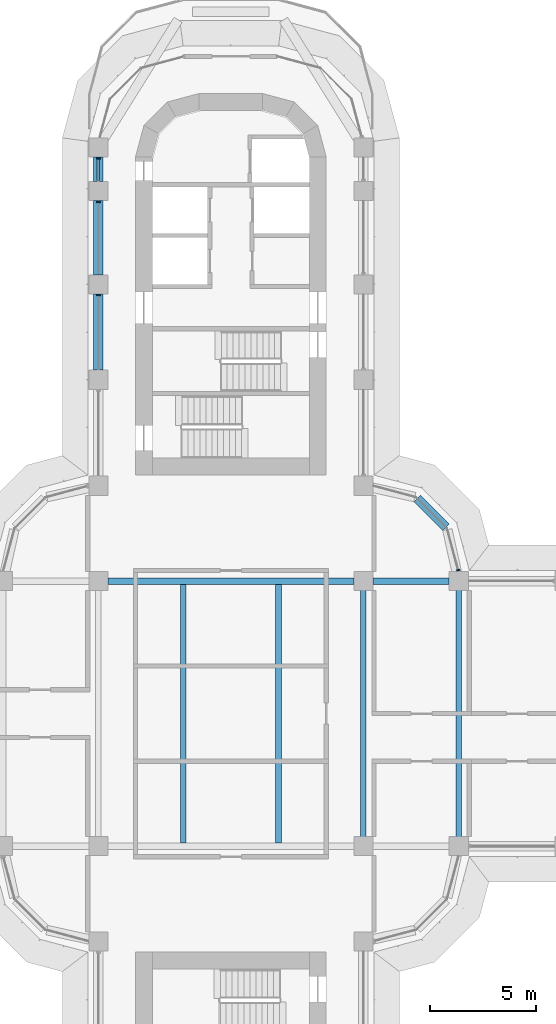
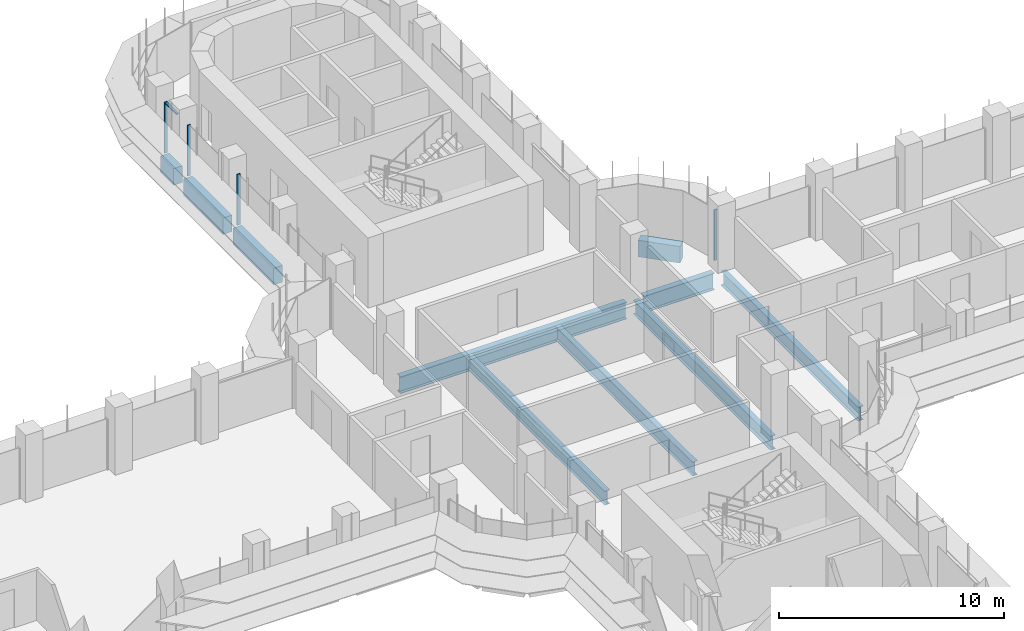
# One storey, part 7 of 22: 10 beams, 5 members, 2 elements without a shape of their own.
"""IFC4 building model written with IfcOpenShell, lengths in metres."""

from ifc_helpers import new_model, si_unit, direction, frame, origin, origin_2d, place, context, subcontext, project, spatial, polyline, rectangle, i_section, outline, extrude, source, transform, mapped, material, material_profile, profile_set, type_object, element, aggregate, save


model = new_model("IFC4")

# Units and contexts
model_context = context("Model", 3, precision=1e-05, world=origin(), true_north=direction((0.0, 1.0)))
body_context = subcontext(model_context, "Body", "Model", "MODEL_VIEW")
ifc_project = project(units=[si_unit("LENGTHUNIT", "METRE"), si_unit("AREAUNIT", "SQUARE_METRE"), si_unit("VOLUMEUNIT", "CUBIC_METRE"), si_unit("PLANEANGLEUNIT", "RADIAN"), si_unit("MASSUNIT", "GRAM", prefix="KILO")], contexts=[model_context])

# Site, building, storey
site_placement = place(None, origin())
site = spatial("IfcSite", under=ifc_project, at=site_placement, CompositionType="ELEMENT")
building_placement = place(site_placement, origin())
building = spatial("IfcBuilding", under=site, at=building_placement, Name="Zarbagh Exchange Tower", CompositionType="ELEMENT")
storey_placement = place(building_placement, frame((0.0, 0.0, 94.199951171875)))
storey = spatial("IfcBuildingStorey", under=building, at=storey_placement, Name="L21", CompositionType="ELEMENT", Elevation=94.199951171875)

# Beams
ifc_material_1 = material(Name="Steel ASTM A992 Gr 50", Category="steel")
ifc_material_profile_1 = material_profile(ifc_material_1, i_section(OverallWidth=0.2666015625, OverallDepth=0.7568359375, WebThickness=0.013916015625, FlangeThickness=0.019287109375, at=origin_2d()), Name="W30X108")
ifc_profile_set_1 = profile_set([ifc_material_profile_1], Name="Steel ASTM A992 Gr 50")
beam_type_1 = type_object("IfcBeamType", Name="Floor beam W30X108", PredefinedType="BEAM", material=ifc_profile_set_1)
for number, where, z_axis, x_axis, name in (
    (1, (-2.25, -6.09765625, -0.5283203125), (0.0, 1.0, 0.0), (-1.0, 0.0, 0.0), "Steel floor beam"),
    (2, (2.25, -6.09765625, -0.5283203125), (0.0, 1.0, 0.0), (-1.0, 0.0, 0.0), "Steel floor beam"),
    (3, (6.25, -6.09765625, -0.5283203125), (0.0, 1.0, 0.0), (-1.0, 0.0, 0.0), "Steel floor beam"),
    (4, (10.75, -6.09765625, -0.5283203125), (0.0, 1.0, 0.0), (-1.0, 0.0, 0.0), "Steel floor beam"),
):
    element("IfcBeam", number, at=place(storey_placement, frame(where, z_axis=z_axis, x_axis=x_axis)), inside=storey, type_object=beam_type_1, Name=name, PredefinedType="BEAM", context=body_context, shape_type="SweptSolid", body=[
        extrude(i_section(OverallWidth=0.2666015625, OverallDepth=0.7568359375, WebThickness=0.013916015625, FlangeThickness=0.019287109375, at=origin_2d()), origin(), (0.0, 0.0, 1.0), 12.1953125),
    ])
ifc_material_profile_2 = material_profile(ifc_material_1, i_section(OverallWidth=0.3046875, OverallDepth=0.911865234375, WebThickness=0.015869140625, FlangeThickness=0.02392578125, at=origin_2d()), Name="W36X150")
ifc_profile_set_2 = profile_set([ifc_material_profile_2], Name="Steel ASTM A992 Gr 50")
beam_type_2 = type_object("IfcBeamType", Name="Floor girder W36X150", PredefinedType="BEAM", material=ifc_profile_set_2)
beam_1_placement = place(storey_placement, frame((-5.800048828125, 6.25, -0.60595703125), z_axis=(1.0, 0.0, 0.0), x_axis=(0.0, 1.0, 0.0)))
element("IfcBeam", 5, at=beam_1_placement, inside=storey, type_object=beam_type_2, Name="Steel girder", PredefinedType="BEAM", context=body_context, shape_type="SweptSolid", body=[
    extrude(i_section(OverallWidth=0.3046875, OverallDepth=0.911865234375, WebThickness=0.015869140625, FlangeThickness=0.02392578125, at=origin_2d()), origin(), (0.0, 0.0, 1.0), 11.60009765625),
])
beam_2_placement = place(storey_placement, frame((6.699951171875, 6.25, -0.60595703125), z_axis=(1.0, 0.0, 0.0), x_axis=(0.0, 1.0, 0.0)))
element("IfcBeam", 6, at=beam_2_placement, inside=storey, type_object=beam_type_2, Name="Steel girder", PredefinedType="BEAM", context=body_context, shape_type="SweptSolid", body=[
    extrude(i_section(OverallWidth=0.3046875, OverallDepth=0.911865234375, WebThickness=0.015869140625, FlangeThickness=0.02392578125, at=origin_2d()), origin(), (0.0, 0.0, 1.0), 3.60009765625),
])
ifc_material_2 = material(Name="Concrete C60/75", Category="concrete")
ifc_material_profile_3 = material_profile(ifc_material_2, rectangle(XDim=0.449951171875, YDim=0.89990234375, at=origin_2d()), Name="RC spandrel beam 450 x 900 C60/75")
ifc_profile_set_3 = profile_set([ifc_material_profile_3], Name="Concrete C60/75")
beam_type_3 = type_object("IfcBeamType", Name="RC spandrel beam 450 x 900 C60/75", PredefinedType="SPANDREL", material=ifc_profile_set_3)
beam_3_placement = place(storey_placement, frame((-6.25, 16.199951171875, -0.599853515625), z_axis=(0.0, 1.0, 0.0), x_axis=(-1.0, 0.0, 0.0)))
element("IfcBeam", 7, at=beam_3_placement, inside=storey, type_object=beam_type_3, Name="RC spandrel beam", PredefinedType="SPANDREL", context=body_context, shape_type="SweptSolid", body=[
    extrude(rectangle(XDim=0.449951171875, YDim=0.89990234375, at=origin_2d()), origin(), (0.0, 0.0, 1.0), 3.60009765625),
])
beam_4_placement = place(storey_placement, frame((-6.25, 20.699951171875, -0.599853515625), z_axis=(0.0, 1.0, 0.0), x_axis=(-1.0, 0.0, 0.0)))
element("IfcBeam", 8, at=beam_4_placement, inside=storey, type_object=beam_type_3, Name="RC spandrel beam", PredefinedType="SPANDREL", context=body_context, shape_type="SweptSolid", body=[
    extrude(rectangle(XDim=0.449951171875, YDim=0.89990234375, at=origin_2d()), origin(), (0.0, 0.0, 1.0), 3.5),
])
beam_5_placement = place(storey_placement, frame((-6.25, 25.10009765625, -0.599853515625), z_axis=(0.0, 1.0, 0.0), x_axis=(-1.0, 0.0, 0.0)))
element("IfcBeam", 9, at=beam_5_placement, inside=storey, type_object=beam_type_3, Name="RC spandrel beam", PredefinedType="SPANDREL", context=body_context, shape_type="SweptSolid", body=[
    extrude(rectangle(XDim=0.449951171875, YDim=0.89990234375, at=origin_2d()), origin(), (0.0, 0.0, 1.0), 1.14990234375),
])
beam_6_placement = place(storey_placement, frame((8.78759765625, 10.15234375, -0.599853515625), z_axis=(0.707106781187, -0.707106781187, 0.0), x_axis=(0.707106781187, 0.707106781187, 0.0)))
element("IfcBeam", 10, at=beam_6_placement, inside=storey, type_object=beam_type_3, Name="RC spandrel beam", PredefinedType="SPANDREL", context=body_context, shape_type="SweptSolid", body=[
    extrude(rectangle(XDim=0.449951171875, YDim=0.89990234375, at=origin_2d()), origin(), (0.0, 0.0, 1.0), 1.929931640625),
])

# Curtain wall, member
ifc_material_3 = material(Name="Anodised aluminium frame and glazing", Category="aluminium")
curtain_wall_type = type_object("IfcCurtainWallType", Name="CWA Ribbon glazing, lower zones", PredefinedType="NOTDEFINED", material=ifc_material_3)
curtain_wall_1_placement = place(storey_placement, origin())
curtain_wall_1 = element("IfcCurtainWall", 11, at=curtain_wall_1_placement, inside=storey, type_object=curtain_wall_type, Name="CWA17 curtain wall", PredefinedType="NOTDEFINED")
ifc_material_4 = material(Name="Anodised aluminium frame", Category="aluminium")
member_type_1 = type_object("IfcMemberType", Name="MUA Mullion, anodised aluminium frame", PredefinedType="MULLION", material=ifc_material_4)
shared_shape_1 = source(origin(), body_context, "Body", "SweptSolid", [
    extrude(outline(polyline([(0.0, -0.080078125), (0.06005859375, -0.080078125), (0.06005859375, 0.080078125), (0.0, 0.080078125), (0.0, -0.080078125)])), origin(), (0.0, 0.0, 1.0), 2.75),
])
placement = place(storey_placement, origin())
member_1 = element("IfcMember", 12, at=placement, type_object=member_type_1, Name="CWA17 mullion 1.1", PredefinedType="MULLION", context=body_context, shape_type="MappedRepresentation", body=[
    mapped(shared_shape_1, transform((10.735107421875, 6.739990234375, 0.0), x_axis=(-0.258824779902, 0.965924289636, 0.0), y_axis=(-0.965924289636, -0.258824779902, 0.0), z_axis=(0.0, 0.0, 1.0))),
])
aggregate(curtain_wall_1, [member_1])

# Curtain wall, members
curtain_wall_2_placement = place(storey_placement, origin())
curtain_wall_2 = element("IfcCurtainWall", 13, at=curtain_wall_2_placement, inside=storey, type_object=curtain_wall_type, Name="CWA56 curtain wall", PredefinedType="NOTDEFINED")
member_2 = element("IfcMember", 14, at=placement, type_object=member_type_1, Name="CWA56 mullion 1.1", PredefinedType="MULLION", context=body_context, shape_type="MappedRepresentation", body=[
    mapped(shared_shape_1, transform((-6.25, 26.2099609375, 0.0), x_axis=(0.0, -1.0, 0.0), y_axis=(1.0, 0.0, 0.0), z_axis=(0.0, 0.0, 1.0))),
])
member_3 = element("IfcMember", 15, at=placement, type_object=member_type_1, Name="CWA56 mullion 2.1", PredefinedType="MULLION", context=body_context, shape_type="MappedRepresentation", body=[
    mapped(shared_shape_1, transform((-6.25, 24.159912109375, 0.0), x_axis=(0.0, -1.0, 0.0), y_axis=(1.0, 0.0, 0.0), z_axis=(0.0, 0.0, 1.0))),
])
member_4 = element("IfcMember", 16, at=placement, type_object=member_type_1, Name="CWA56 mullion 3.1", PredefinedType="MULLION", context=body_context, shape_type="MappedRepresentation", body=[
    mapped(shared_shape_1, transform((-6.25, 19.760009765625, 0.0), x_axis=(0.0, -1.0, 0.0), y_axis=(1.0, 0.0, 0.0), z_axis=(0.0, 0.0, 1.0))),
])
member_type_2 = type_object("IfcMemberType", Name="TRA Transom, anodised aluminium frame", PredefinedType="USERDEFINED", material=ifc_material_4)
shared_shape_2 = source(origin(), body_context, "Body", "SweptSolid", [
    extrude(outline(polyline([(-0.06005859375, -0.06005859375), (0.0, -0.06005859375), (0.0, 0.06005859375), (-0.06005859375, 0.06005859375), (-0.06005859375, -0.06005859375)])), origin(), (0.0, 0.0, 1.0), 1.010009765625),
])
member_5 = element("IfcMember", 17, at=placement, type_object=member_type_2, Name="CWA56 transom 1.1", ObjectType="TRANSOM", PredefinedType="USERDEFINED", context=body_context, shape_type="MappedRepresentation", body=[
    mapped(shared_shape_2, transform((-6.25, 26.14990234375, 2.75), x_axis=(0.0, 0.0, 1.0), y_axis=(-1.0, 0.0, 0.0), z_axis=(0.0, -1.0, 0.0))),
])
aggregate(curtain_wall_2, [member_2, member_5, member_3, member_4])

save(model, "model.ifc")
